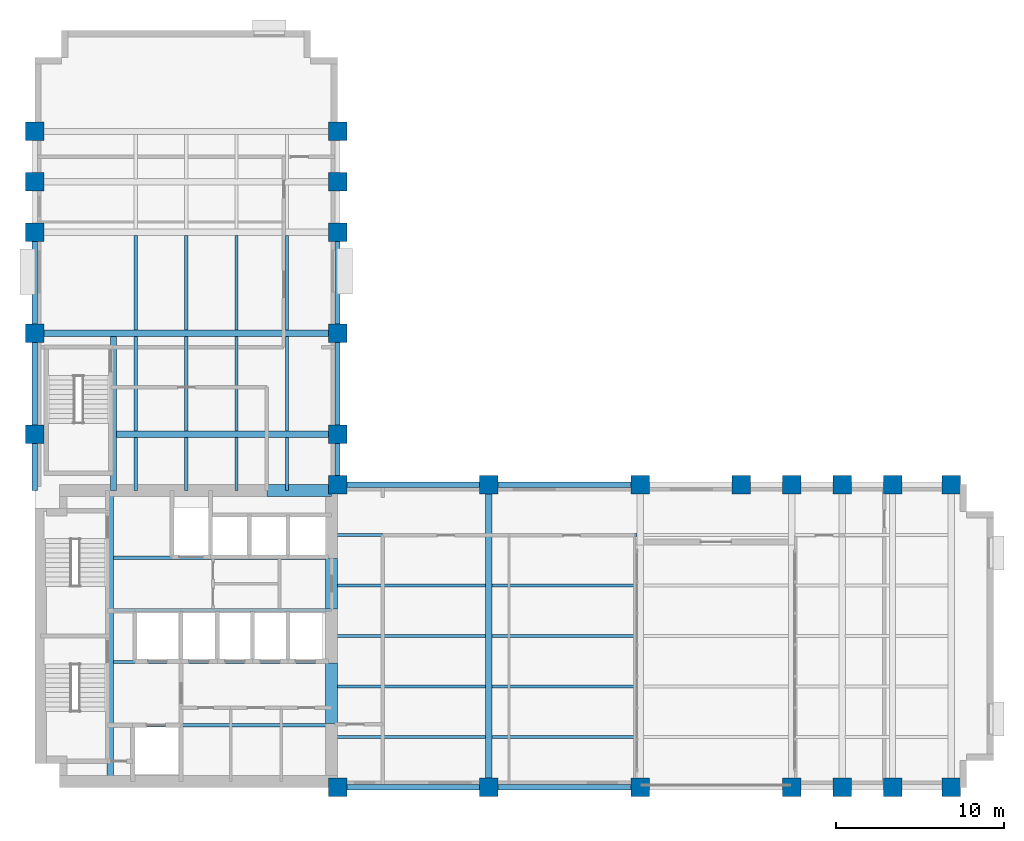
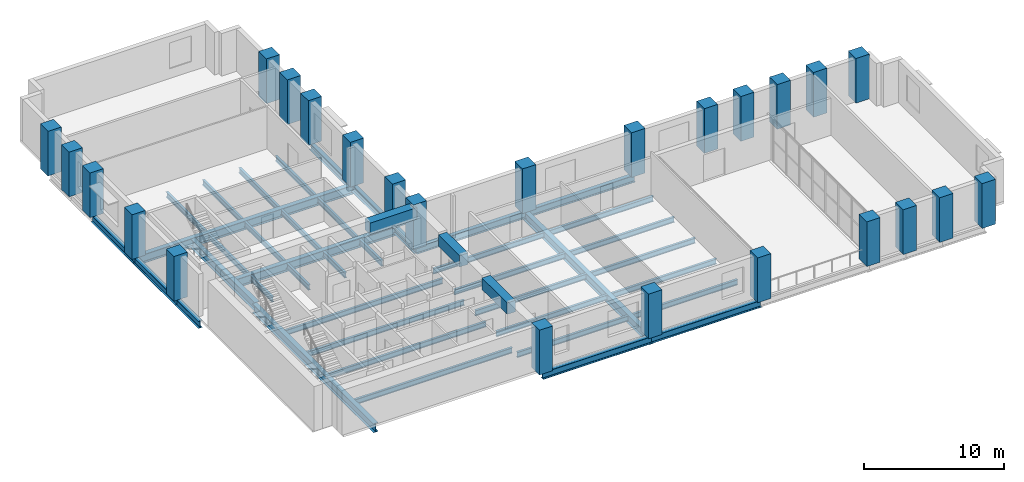
# One storey, part 1 of 12: 44 beams, 25 columns.
"""IFC4 building model written with IfcOpenShell, lengths in metres."""

import ifcopenshell
import ifcopenshell.guid

model = None  # the IFC model being written
_history = None  # IfcOwnerHistory: only IFC2X3 demands one
_inside = {}  # id of a spatial element -> (the spatial element, [elements in it])
_under = {}  # id of a project, library or spatial element -> (it, [spatial elements below it])
_declared = {}  # id of a project -> (the project, [libraries it declares])
_typed = {}  # id of a type object -> (the type object, [elements of that type])
_made_of = {}  # id of a material, layer set ... -> (it, [elements and type objects made of it])


def new_model(schema):
    """Start an empty IFC model of exactly this schema.

    Asked for "IFC4X3", IfcOpenShell would pick the latest addendum, in which some entities
    have other attributes; the version numbers below select the first issue.
    IFC2X3 requires an IfcOwnerHistory on every rooted entity: one is made here for all.
    """
    global model, _history
    if schema == "IFC4X3":
        model = ifcopenshell.file(schema_version=(4, 3, 0, 0))
    else:
        model = ifcopenshell.file(schema=schema)
    _inside.clear()
    _under.clear()
    _declared.clear()
    _typed.clear()
    _made_of.clear()
    _history = None
    if model.schema == "IFC2X3":
        org = make("IfcOrganization", Name="unknown")
        user = make(
            "IfcPersonAndOrganization",
            ThePerson=make("IfcPerson", FamilyName="unknown"),
            TheOrganization=org,
        )
        app = make(
            "IfcApplication",
            ApplicationDeveloper=org,
            Version="unknown",
            ApplicationFullName="unknown",
            ApplicationIdentifier="unknown",
        )
        _history = make(
            "IfcOwnerHistory",
            OwningUser=user,
            OwningApplication=app,
            ChangeAction="ADDED",
            CreationDate=0,
        )
    return model


def make(cls, **values):
    """One entity of the class cls with the attributes given. An attribute that is None is left unset."""
    return model.create_entity(
        cls, **{name: value for name, value in values.items() if value is not None}
    )


def rooted(cls, **values):
    """An entity with a GlobalId (a new one), such as an element, a storey or a relation."""
    return make(cls, GlobalId=ifcopenshell.guid.new(), OwnerHistory=_history, **values)


def si_unit(unit_type, name, prefix=None):
    """IfcSIUnit, for example si_unit("LENGTHUNIT", "METRE", prefix="MILLI")."""
    return make("IfcSIUnit", UnitType=unit_type, Prefix=prefix, Name=name)


def assignment(units):
    """IfcUnitAssignment: the units of a project."""
    return None if units is None else make("IfcUnitAssignment", Units=units)


def point(xyz):
    """IfcCartesianPoint."""
    return None if xyz is None else make("IfcCartesianPoint", Coordinates=xyz)


def direction(xyz):
    """IfcDirection."""
    return None if xyz is None else make("IfcDirection", DirectionRatios=xyz)


def frame(location, z_axis=None, x_axis=None):
    """IfcAxis2Placement3D, a coordinate frame: its origin and axes. An axis left out is left unset."""
    return make(
        "IfcAxis2Placement3D",
        Location=point(location),
        Axis=direction(z_axis),
        RefDirection=direction(x_axis),
    )


def frame_2d(location, x_axis=None):
    """IfcAxis2Placement2D, a coordinate frame in the plane: its origin and x axis."""
    return make(
        "IfcAxis2Placement2D", Location=point(location), RefDirection=direction(x_axis)
    )


def origin():
    """The frame at (0, 0, 0) with its axes left unset."""
    return frame((0.0, 0.0, 0.0))


def origin_2d():
    """The frame at (0, 0) in the plane with its x axis left unset."""
    return frame_2d((0.0, 0.0))


def place(relative_to, where):
    """IfcLocalPlacement: puts the frame where relative to a parent placement (None: the world)."""
    return make(
        "IfcLocalPlacement", PlacementRelTo=relative_to, RelativePlacement=where
    )


def context(
    kind, dimensions, precision=None, world=None, true_north=None, identifier=None
):
    """IfcGeometricRepresentationContext, for example the 3D "Model" context."""
    return make(
        "IfcGeometricRepresentationContext",
        ContextIdentifier=identifier,
        ContextType=kind,
        CoordinateSpaceDimension=dimensions,
        Precision=precision,
        WorldCoordinateSystem=world,
        TrueNorth=true_north,
    )


def subcontext(parent, identifier, kind, view, scale=None):
    """IfcGeometricRepresentationSubContext, for example "Body" below "Model"."""
    return make(
        "IfcGeometricRepresentationSubContext",
        ContextIdentifier=identifier,
        ContextType=kind,
        ParentContext=parent,
        TargetScale=scale,
        TargetView=view,
    )


def project(units=None, contexts=None):
    """IfcProject with its units and contexts."""
    return rooted(
        "IfcProject",
        Name="project",
        RepresentationContexts=contexts,
        UnitsInContext=assignment(units),
    )


def spatial(cls, under=None, at=None, **own):
    """A site, building, storey or space (cls), placed at a placement, below another one or the project."""
    s = rooted(cls, ObjectPlacement=at, **own)
    if under is not None:
        _under.setdefault(under.id(), (under, []))[1].append(s)
    return s


def profile(cls, at=None, kind="AREA", **sizes):
    """A parametric profile (cls). Its sizes go by their IFC names, for example OverallWidth=200.0."""
    return make(cls, ProfileType=kind, Position=at, **sizes)


def rectangle(**sizes):
    """IfcRectangleProfileDef."""
    return profile("IfcRectangleProfileDef", **sizes)


def i_section(**sizes):
    """IfcIShapeProfileDef."""
    return profile("IfcIShapeProfileDef", **sizes)


def extrude(swept, where, along, depth):
    """IfcExtrudedAreaSolid: the profile swept, set in the frame where, extruded along a direction by depth."""
    return make(
        "IfcExtrudedAreaSolid",
        SweptArea=swept,
        Position=where,
        ExtrudedDirection=direction(along),
        Depth=depth,
    )


def shape(context_of_items, identifier, shape_type, items):
    """IfcShapeRepresentation: the items that make up one representation, for example the "Body"."""
    return make(
        "IfcShapeRepresentation",
        ContextOfItems=context_of_items,
        RepresentationIdentifier=identifier,
        RepresentationType=shape_type,
        Items=items,
    )


def material(Name=None, Category=None):
    """IfcMaterial."""
    return make("IfcMaterial", Name=Name, Category=Category)


def material_profile(
    of_material, cross_section, Name=None, Category=None, Priority=None
):
    """IfcMaterialProfile: a cross section and its material."""
    return make(
        "IfcMaterialProfile",
        Name=Name,
        Material=of_material,
        Profile=cross_section,
        Priority=Priority,
        Category=Category,
    )


def profile_set(profiles, Name=None, composite=None):
    """IfcMaterialProfileSet."""
    return make(
        "IfcMaterialProfileSet",
        Name=Name,
        MaterialProfiles=profiles,
        CompositeProfile=composite,
    )


def made_of(thing, what):
    """Note that an element or type object is made of a material, layer set ...; save() writes the relation."""
    if what is not None:
        _made_of.setdefault(what.id(), (what, []))[1].append(thing)
    return thing


def type_object(cls, material=None, **own):
    """A type object (cls), such as IfcWallType, which elements share."""
    return made_of(rooted(cls, **own), material)


def element(
    cls,
    number,
    at=None,
    inside=None,
    cuts=None,
    type_object=None,
    material=None,
    context=None,
    identifier="Body",
    shape_type=None,
    held_by="IfcProductDefinitionShape",
    body=None,
    shapes=None,
    **own,
):
    """One element of the class cls, such as IfcWall. Its Tag is "e" and its number.

    at: its placement. inside: the storey or other place that contains it. cuts: it is an
    opening in that element (IfcRelVoidsElement). A single representation is given by context,
    identifier, shape_type and body (its items); several are given by shapes. held_by: the class
    of the entity that holds the representations. save() writes the other relations.
    """
    e = rooted(cls, Tag="e%d" % number, ObjectPlacement=at, **own)
    if body is not None:
        shapes = [shape(context, identifier, shape_type, body)]
    if shapes is not None:
        e.Representation = make(held_by, Representations=shapes)
    if inside is not None:
        _inside.setdefault(inside.id(), (inside, []))[1].append(e)
    if cuts is not None:
        rooted(
            "IfcRelVoidsElement", RelatingBuildingElement=cuts, RelatedOpeningElement=e
        )
    if type_object is not None:
        _typed.setdefault(type_object.id(), (type_object, []))[1].append(e)
    return made_of(e, material)


def aggregate(whole, parts):
    """IfcRelAggregates: a whole, such as a stair, and the parts it consists of."""
    return rooted("IfcRelAggregates", RelatingObject=whole, RelatedObjects=parts)


def save(model, path):
    """Write the relations noted so far, then the file.

    IfcRelAggregates (storeys below a building ...), IfcRelContainedInSpatialStructure (elements
    in a storey), IfcRelDefinesByType, IfcRelAssociatesMaterial and IfcRelDeclares: one each for
    every whole, place, type object, material and project.
    """
    for whole, parts in _under.values():
        aggregate(whole, parts)
    for where, things in _inside.values():
        rooted(
            "IfcRelContainedInSpatialStructure",
            RelatedElements=things,
            RelatingStructure=where,
        )
    for kind, things in _typed.values():
        rooted("IfcRelDefinesByType", RelatedObjects=things, RelatingType=kind)
    for what, things in _made_of.values():
        rooted("IfcRelAssociatesMaterial", RelatedObjects=things, RelatingMaterial=what)
    for by, libraries in _declared.values():
        rooted("IfcRelDeclares", RelatingContext=by, RelatedDefinitions=libraries)
    model.write(path)


model = new_model("IFC4")

# Units and contexts
model_context = context("Model", 3, precision=1e-05, world=origin(), true_north=direction((0.0, 1.0)))
body_context = subcontext(model_context, "Body", "Model", "MODEL_VIEW")
ifc_project = project(units=[si_unit("LENGTHUNIT", "METRE"), si_unit("AREAUNIT", "SQUARE_METRE"), si_unit("VOLUMEUNIT", "CUBIC_METRE"), si_unit("PLANEANGLEUNIT", "RADIAN"), si_unit("MASSUNIT", "GRAM", prefix="KILO")], contexts=[model_context])

# Site, building, storey
site_placement = place(None, origin())
site = spatial("IfcSite", under=ifc_project, at=site_placement, CompositionType="ELEMENT")
building_placement = place(site_placement, origin())
building = spatial("IfcBuilding", under=site, at=building_placement, Name="Mawjdan Bourse Tower", CompositionType="ELEMENT")
storey_placement = place(building_placement, frame((0.0, 0.0, 120.60009765625)))
storey = spatial("IfcBuildingStorey", under=building, at=storey_placement, Name="L28", CompositionType="ELEMENT", Elevation=120.60009765625)

# Columns
ifc_material_1 = material(Name="Concrete C70/85", Category="concrete")
ifc_material_profile_1 = material_profile(ifc_material_1, rectangle(XDim=1.10009765625, YDim=1.10009765625, at=origin_2d()), Name="RC1100X1100")
ifc_profile_set_1 = profile_set([ifc_material_profile_1], Name="Concrete C70/85")
column_type = type_object("IfcColumnType", Name="COL-RC1100X1100", PredefinedType="COLUMN", material=ifc_profile_set_1)
for number, where, z_axis, x_axis, name in (
    (1, (24.0, 3.0, 0.0), (0.0, 0.0, 1.0), (1.0, 0.0, 0.0), "L28 Structural Column C-X240-Y30"),
    (2, (24.0, 21.0, 0.0), (0.0, 0.0, 1.0), (1.0, 0.0, 0.0), "L28 Structural Column C-X240-Y210"),
    (3, (33.0, 3.0, 0.0), (0.0, 0.0, 1.0), (1.0, 0.0, 0.0), "L28 Structural Column C-X330-Y30"),
    (4, (33.0, 21.0, 0.0), (0.0, 0.0, 1.0), (1.0, 0.0, 0.0), "L28 Structural Column C-X330-Y210"),
    (5, (42.0, 3.0, 0.0), (0.0, 0.0, 1.0), (1.0, 0.0, 0.0), "L28 Structural Column C-X420-Y30"),
    (6, (42.0, 21.0, 0.0), (0.0, 0.0, 1.0), (1.0, 0.0, 0.0), "L28 Structural Column C-X420-Y210"),
    (7, (48.0, 21.0, 0.0), (0.0, 0.0, 1.0), (1.0, 0.0, 0.0), "L28 Structural Column C-X480-Y210"),
    (8, (51.0, 3.0, 0.0), (0.0, 0.0, 1.0), (1.0, 0.0, 0.0), "L28 Structural Column C-X510-Y30"),
    (9, (51.0, 21.0, 0.0), (0.0, 0.0, 1.0), (1.0, 0.0, 0.0), "L28 Structural Column C-X510-Y210"),
    (10, (54.0, 3.0, 0.0), (0.0, 0.0, 1.0), (1.0, 0.0, 0.0), "L28 Structural Column C-X540-Y30"),
    (11, (54.0, 21.0, 0.0), (0.0, 0.0, 1.0), (1.0, 0.0, 0.0), "L28 Structural Column C-X540-Y210"),
    (12, (57.0, 3.0, 0.0), (0.0, 0.0, 1.0), (1.0, 0.0, 0.0), "L28 Structural Column C-X570-Y30"),
    (13, (57.0, 21.0, 0.0), (0.0, 0.0, 1.0), (1.0, 0.0, 0.0), "L28 Structural Column C-X570-Y210"),
    (14, (60.5, 3.0, 0.0), (0.0, 0.0, 1.0), (1.0, 0.0, 0.0), "L28 Structural Column C-X605-Y30"),
    (15, (60.5, 21.0, 0.0), (0.0, 0.0, 1.0), (1.0, 0.0, 0.0), "L28 Structural Column C-X605-Y210"),
    (16, (6.0, 24.0, 0.0), (0.0, 0.0, 1.0), (1.0, 0.0, 0.0), "L28 Structural Column C-X60-Y240"),
    (17, (24.0, 24.0, 0.0), (0.0, 0.0, 1.0), (1.0, 0.0, 0.0), "L28 Structural Column C-X240-Y240"),
    (18, (6.0, 30.0, 0.0), (0.0, 0.0, 1.0), (1.0, 0.0, 0.0), "L28 Structural Column C-X60-Y300"),
    (19, (24.0, 30.0, 0.0), (0.0, 0.0, 1.0), (1.0, 0.0, 0.0), "L28 Structural Column C-X240-Y300"),
    (20, (6.0, 36.0, 0.0), (0.0, 0.0, 1.0), (1.0, 0.0, 0.0), "L28 Structural Column C-X60-Y360"),
    (21, (24.0, 36.0, 0.0), (0.0, 0.0, 1.0), (1.0, 0.0, 0.0), "L28 Structural Column C-X240-Y360"),
    (22, (6.0, 39.0, 0.0), (0.0, 0.0, 1.0), (1.0, 0.0, 0.0), "L28 Structural Column C-X60-Y390"),
    (23, (24.0, 39.0, 0.0), (0.0, 0.0, 1.0), (1.0, 0.0, 0.0), "L28 Structural Column C-X240-Y390"),
    (24, (6.0, 42.0, 0.0), (0.0, 0.0, 1.0), (1.0, 0.0, 0.0), "L28 Structural Column C-X60-Y420"),
    (25, (24.0, 42.0, 0.0), (0.0, 0.0, 1.0), (1.0, 0.0, 0.0), "L28 Structural Column C-X240-Y420"),
):
    element("IfcColumn", number, at=place(storey_placement, frame(where, z_axis=z_axis, x_axis=x_axis)), inside=storey, type_object=column_type, Name=name, PredefinedType="COLUMN", context=body_context, shape_type="SweptSolid", body=[
        extrude(rectangle(XDim=1.10009765625, YDim=1.10009765625, at=origin_2d()), origin(), (0.0, 0.0, 1.0), 3.89990234375),
    ])

# Beams
ifc_material_2 = material(Name="Structural Steel S355", Category="steel")
ifc_material_profile_2 = material_profile(ifc_material_2, i_section(OverallWidth=0.381103515625, OverallDepth=0.77294921875, WebThickness=0.0166015625, FlangeThickness=0.027099609375, FilletRadius=0.021728515625, at=origin_2d()), Name="W30X173")
ifc_profile_set_2 = profile_set([ifc_material_profile_2], Name="Structural Steel S355")
beam_type_1 = type_object("IfcBeamType", Name="GRD-W30X173", PredefinedType="BEAM", material=ifc_profile_set_2)
beam_1_placement = place(storey_placement, frame((10.47998046875, 3.35009765625, -0.586669921875), z_axis=(0.0, 1.0, 0.0), x_axis=(-1.0, 0.0, 0.0)))
element("IfcBeam", 26, at=beam_1_placement, inside=storey, type_object=beam_type_1, Name="L28 Core Stair Trimmer Girder 001", PredefinedType="BEAM", context=body_context, shape_type="SweptSolid", body=[
    extrude(i_section(OverallWidth=0.381103515625, OverallDepth=0.77294921875, WebThickness=0.0166015625, FlangeThickness=0.027099609375, FilletRadius=0.021728515625, at=origin_2d()), origin(), (0.0, 0.0, 1.0), 17.2998046875),
])
beam_2_placement = place(storey_placement, frame((33.0, 3.0, -0.586669921875), z_axis=(0.0, 1.0, 0.0), x_axis=(-1.0, 0.0, 0.0)))
element("IfcBeam", 27, at=beam_2_placement, inside=storey, type_object=beam_type_1, Name="L28 East Wing Clear-Span Girder 002", PredefinedType="BEAM", context=body_context, shape_type="SweptSolid", body=[
    extrude(i_section(OverallWidth=0.381103515625, OverallDepth=0.77294921875, WebThickness=0.0166015625, FlangeThickness=0.027099609375, FilletRadius=0.021728515625, at=origin_2d()), origin(), (0.0, 0.0, 1.0), 18.0),
])
beam_3_placement = place(storey_placement, frame((10.679931640625, 20.64990234375, -0.586669921875), z_axis=(0.0, 1.0, 0.0), x_axis=(-1.0, 0.0, 0.0)))
element("IfcBeam", 28, at=beam_3_placement, inside=storey, type_object=beam_type_1, Name="L28 North Wing Stair Trimmer Girder 057", PredefinedType="BEAM", context=body_context, shape_type="SweptSolid", body=[
    extrude(i_section(OverallWidth=0.381103515625, OverallDepth=0.77294921875, WebThickness=0.0166015625, FlangeThickness=0.027099609375, FilletRadius=0.021728515625, at=origin_2d()), origin(), (0.0, 0.0, 1.0), 9.16162109375),
])
beam_4_placement = place(storey_placement, frame((10.868408203125, 24.0, -0.586669921875), z_axis=(1.0, 0.0, 0.0), x_axis=(0.0, 1.0, 0.0)))
element("IfcBeam", 29, at=beam_4_placement, inside=storey, type_object=beam_type_1, Name="L28 North Wing Clear-Span Girder 058", PredefinedType="BEAM", context=body_context, shape_type="SweptSolid", body=[
    extrude(i_section(OverallWidth=0.381103515625, OverallDepth=0.77294921875, WebThickness=0.0166015625, FlangeThickness=0.027099609375, FilletRadius=0.021728515625, at=origin_2d()), origin(), (0.0, 0.0, 1.0), 13.131591796875),
])
beam_5_placement = place(storey_placement, frame((6.0, 30.0, -0.586669921875), z_axis=(1.0, 0.0, 0.0), x_axis=(0.0, 1.0, 0.0)))
element("IfcBeam", 30, at=beam_5_placement, inside=storey, type_object=beam_type_1, Name="L28 North Wing Clear-Span Girder 059", PredefinedType="BEAM", context=body_context, shape_type="SweptSolid", body=[
    extrude(i_section(OverallWidth=0.381103515625, OverallDepth=0.77294921875, WebThickness=0.0166015625, FlangeThickness=0.027099609375, FilletRadius=0.021728515625, at=origin_2d()), origin(), (0.0, 0.0, 1.0), 18.0),
])
ifc_material_profile_3 = material_profile(ifc_material_2, i_section(OverallWidth=0.19189453125, OverallDepth=0.462890625, WebThickness=0.010498046875, FlangeThickness=0.017578125, FilletRadius=0.01416015625, at=origin_2d()), Name="W18X60")
ifc_profile_set_3 = profile_set([ifc_material_profile_3], Name="Structural Steel S355")
beam_type_2 = type_object("IfcBeamType", Name="JST-W18X60", PredefinedType="JOIST", material=ifc_profile_set_3)
beam_6_placement = place(storey_placement, frame((23.64990234375, 6.0, -0.431640625), z_axis=(1.0, 0.0, 0.0), x_axis=(0.0, 1.0, 0.0)))
element("IfcBeam", 31, at=beam_6_placement, inside=storey, type_object=beam_type_2, Name="L28 East Wing Composite Joist 023", PredefinedType="JOIST", context=body_context, shape_type="SweptSolid", body=[
    extrude(i_section(OverallWidth=0.19189453125, OverallDepth=0.462890625, WebThickness=0.010498046875, FlangeThickness=0.017578125, FilletRadius=0.01416015625, at=origin_2d()), origin(), (0.0, 0.0, 1.0), 9.16162109375),
])
beam_7_placement = place(storey_placement, frame((33.1884765625, 6.0, -0.431640625), z_axis=(1.0, 0.0, 0.0), x_axis=(0.0, 1.0, 0.0)))
element("IfcBeam", 32, at=beam_7_placement, inside=storey, type_object=beam_type_2, Name="L28 East Wing Composite Joist 024", PredefinedType="JOIST", context=body_context, shape_type="SweptSolid", body=[
    extrude(i_section(OverallWidth=0.19189453125, OverallDepth=0.462890625, WebThickness=0.010498046875, FlangeThickness=0.017578125, FilletRadius=0.01416015625, at=origin_2d()), origin(), (0.0, 0.0, 1.0), 8.623046875),
])
beam_8_placement = place(storey_placement, frame((23.64990234375, 9.0, -0.431640625), z_axis=(1.0, 0.0, 0.0), x_axis=(0.0, 1.0, 0.0)))
element("IfcBeam", 33, at=beam_8_placement, inside=storey, type_object=beam_type_2, Name="L28 East Wing Composite Joist 029", PredefinedType="JOIST", context=body_context, shape_type="SweptSolid", body=[
    extrude(i_section(OverallWidth=0.19189453125, OverallDepth=0.462890625, WebThickness=0.010498046875, FlangeThickness=0.017578125, FilletRadius=0.01416015625, at=origin_2d()), origin(), (0.0, 0.0, 1.0), 9.16162109375),
])
beam_9_placement = place(storey_placement, frame((33.1884765625, 9.0, -0.431640625), z_axis=(1.0, 0.0, 0.0), x_axis=(0.0, 1.0, 0.0)))
element("IfcBeam", 34, at=beam_9_placement, inside=storey, type_object=beam_type_2, Name="L28 East Wing Composite Joist 030", PredefinedType="JOIST", context=body_context, shape_type="SweptSolid", body=[
    extrude(i_section(OverallWidth=0.19189453125, OverallDepth=0.462890625, WebThickness=0.010498046875, FlangeThickness=0.017578125, FilletRadius=0.01416015625, at=origin_2d()), origin(), (0.0, 0.0, 1.0), 8.623046875),
])
beam_10_placement = place(storey_placement, frame((23.64990234375, 12.0, -0.431640625), z_axis=(1.0, 0.0, 0.0), x_axis=(0.0, 1.0, 0.0)))
element("IfcBeam", 35, at=beam_10_placement, inside=storey, type_object=beam_type_2, Name="L28 East Wing Composite Joist 035", PredefinedType="JOIST", context=body_context, shape_type="SweptSolid", body=[
    extrude(i_section(OverallWidth=0.19189453125, OverallDepth=0.462890625, WebThickness=0.010498046875, FlangeThickness=0.017578125, FilletRadius=0.01416015625, at=origin_2d()), origin(), (0.0, 0.0, 1.0), 9.16162109375),
])
beam_11_placement = place(storey_placement, frame((33.1884765625, 12.0, -0.431640625), z_axis=(1.0, 0.0, 0.0), x_axis=(0.0, 1.0, 0.0)))
element("IfcBeam", 36, at=beam_11_placement, inside=storey, type_object=beam_type_2, Name="L28 East Wing Composite Joist 036", PredefinedType="JOIST", context=body_context, shape_type="SweptSolid", body=[
    extrude(i_section(OverallWidth=0.19189453125, OverallDepth=0.462890625, WebThickness=0.010498046875, FlangeThickness=0.017578125, FilletRadius=0.01416015625, at=origin_2d()), origin(), (0.0, 0.0, 1.0), 8.623046875),
])
beam_12_placement = place(storey_placement, frame((23.64990234375, 15.0, -0.431640625), z_axis=(1.0, 0.0, 0.0), x_axis=(0.0, 1.0, 0.0)))
element("IfcBeam", 37, at=beam_12_placement, inside=storey, type_object=beam_type_2, Name="L28 East Wing Composite Joist 041", PredefinedType="JOIST", context=body_context, shape_type="SweptSolid", body=[
    extrude(i_section(OverallWidth=0.19189453125, OverallDepth=0.462890625, WebThickness=0.010498046875, FlangeThickness=0.017578125, FilletRadius=0.01416015625, at=origin_2d()), origin(), (0.0, 0.0, 1.0), 9.16162109375),
])
beam_13_placement = place(storey_placement, frame((33.1884765625, 15.0, -0.431640625), z_axis=(1.0, 0.0, 0.0), x_axis=(0.0, 1.0, 0.0)))
element("IfcBeam", 38, at=beam_13_placement, inside=storey, type_object=beam_type_2, Name="L28 East Wing Composite Joist 042", PredefinedType="JOIST", context=body_context, shape_type="SweptSolid", body=[
    extrude(i_section(OverallWidth=0.19189453125, OverallDepth=0.462890625, WebThickness=0.010498046875, FlangeThickness=0.017578125, FilletRadius=0.01416015625, at=origin_2d()), origin(), (0.0, 0.0, 1.0), 8.623046875),
])
beam_14_placement = place(storey_placement, frame((23.64990234375, 18.0, -0.431640625), z_axis=(1.0, 0.0, 0.0), x_axis=(0.0, 1.0, 0.0)))
element("IfcBeam", 39, at=beam_14_placement, inside=storey, type_object=beam_type_2, Name="L28 East Wing Composite Joist 047", PredefinedType="JOIST", context=body_context, shape_type="SweptSolid", body=[
    extrude(i_section(OverallWidth=0.19189453125, OverallDepth=0.462890625, WebThickness=0.010498046875, FlangeThickness=0.017578125, FilletRadius=0.01416015625, at=origin_2d()), origin(), (0.0, 0.0, 1.0), 9.16162109375),
])
beam_15_placement = place(storey_placement, frame((33.1884765625, 18.0, -0.431640625), z_axis=(1.0, 0.0, 0.0), x_axis=(0.0, 1.0, 0.0)))
element("IfcBeam", 40, at=beam_15_placement, inside=storey, type_object=beam_type_2, Name="L28 East Wing Composite Joist 048", PredefinedType="JOIST", context=body_context, shape_type="SweptSolid", body=[
    extrude(i_section(OverallWidth=0.19189453125, OverallDepth=0.462890625, WebThickness=0.010498046875, FlangeThickness=0.017578125, FilletRadius=0.01416015625, at=origin_2d()), origin(), (0.0, 0.0, 1.0), 8.623046875),
])
for number, where, z_axis, x_axis, name in (
    (41, (10.66845703125, 6.699951171875, -0.431640625), (1.0, 0.0, 0.0), (0.0, 1.0, 0.0), "L28 Core Floor Joist 053"),
    (42, (10.66845703125, 10.449951171875, -0.431640625), (1.0, 0.0, 0.0), (0.0, 1.0, 0.0), "L28 Core Floor Joist 054"),
    (43, (10.66845703125, 13.550048828125, -0.431640625), (1.0, 0.0, 0.0), (0.0, 1.0, 0.0), "L28 Core Floor Joist 055"),
    (44, (10.66845703125, 16.64990234375, -0.431640625), (1.0, 0.0, 0.0), (0.0, 1.0, 0.0), "L28 Core Floor Joist 056"),
):
    element("IfcBeam", number, at=place(storey_placement, frame(where, z_axis=z_axis, x_axis=x_axis)), inside=storey, type_object=beam_type_2, Name=name, PredefinedType="JOIST", context=body_context, shape_type="SweptSolid", body=[
        extrude(i_section(OverallWidth=0.19189453125, OverallDepth=0.462890625, WebThickness=0.010498046875, FlangeThickness=0.017578125, FilletRadius=0.01416015625, at=origin_2d()), origin(), (0.0, 0.0, 1.0), 12.9814453125),
    ])
beam_16_placement = place(storey_placement, frame((12.0, 20.64990234375, -0.431640625), z_axis=(0.0, 1.0, 0.0), x_axis=(-1.0, 0.0, 0.0)))
element("IfcBeam", 45, at=beam_16_placement, inside=storey, type_object=beam_type_2, Name="L28 North Wing Composite Joist 073", PredefinedType="JOIST", context=body_context, shape_type="SweptSolid", body=[
    extrude(i_section(OverallWidth=0.19189453125, OverallDepth=0.462890625, WebThickness=0.010498046875, FlangeThickness=0.017578125, FilletRadius=0.01416015625, at=origin_2d()), origin(), (0.0, 0.0, 1.0), 3.16162109375),
])
for number, where, z_axis, x_axis, name in (
    (46, (12.0, 24.1884765625, -0.431640625), (0.0, 1.0, 0.0), (-1.0, 0.0, 0.0), "L28 North Wing Composite Joist 074"),
    (47, (12.0, 30.1884765625, -0.431640625), (0.0, 1.0, 0.0), (-1.0, 0.0, 0.0), "L28 North Wing Composite Joist 075"),
):
    element("IfcBeam", number, at=place(storey_placement, frame(where, z_axis=z_axis, x_axis=x_axis)), inside=storey, type_object=beam_type_2, Name=name, PredefinedType="JOIST", context=body_context, shape_type="SweptSolid", body=[
        extrude(i_section(OverallWidth=0.19189453125, OverallDepth=0.462890625, WebThickness=0.010498046875, FlangeThickness=0.017578125, FilletRadius=0.01416015625, at=origin_2d()), origin(), (0.0, 0.0, 1.0), 5.623046875),
    ])
beam_17_placement = place(storey_placement, frame((15.0, 20.64990234375, -0.431640625), z_axis=(0.0, 1.0, 0.0), x_axis=(-1.0, 0.0, 0.0)))
element("IfcBeam", 48, at=beam_17_placement, inside=storey, type_object=beam_type_2, Name="L28 North Wing Composite Joist 078", PredefinedType="JOIST", context=body_context, shape_type="SweptSolid", body=[
    extrude(i_section(OverallWidth=0.19189453125, OverallDepth=0.462890625, WebThickness=0.010498046875, FlangeThickness=0.017578125, FilletRadius=0.01416015625, at=origin_2d()), origin(), (0.0, 0.0, 1.0), 3.16162109375),
])
for number, where, z_axis, x_axis, name in (
    (49, (15.0, 24.1884765625, -0.431640625), (0.0, 1.0, 0.0), (-1.0, 0.0, 0.0), "L28 North Wing Composite Joist 079"),
    (50, (15.0, 30.1884765625, -0.431640625), (0.0, 1.0, 0.0), (-1.0, 0.0, 0.0), "L28 North Wing Composite Joist 080"),
):
    element("IfcBeam", number, at=place(storey_placement, frame(where, z_axis=z_axis, x_axis=x_axis)), inside=storey, type_object=beam_type_2, Name=name, PredefinedType="JOIST", context=body_context, shape_type="SweptSolid", body=[
        extrude(i_section(OverallWidth=0.19189453125, OverallDepth=0.462890625, WebThickness=0.010498046875, FlangeThickness=0.017578125, FilletRadius=0.01416015625, at=origin_2d()), origin(), (0.0, 0.0, 1.0), 5.623046875),
    ])
beam_18_placement = place(storey_placement, frame((18.0, 20.64990234375, -0.431640625), z_axis=(0.0, 1.0, 0.0), x_axis=(-1.0, 0.0, 0.0)))
element("IfcBeam", 51, at=beam_18_placement, inside=storey, type_object=beam_type_2, Name="L28 North Wing Composite Joist 083", PredefinedType="JOIST", context=body_context, shape_type="SweptSolid", body=[
    extrude(i_section(OverallWidth=0.19189453125, OverallDepth=0.462890625, WebThickness=0.010498046875, FlangeThickness=0.017578125, FilletRadius=0.01416015625, at=origin_2d()), origin(), (0.0, 0.0, 1.0), 3.16162109375),
])
for number, where, z_axis, x_axis, name in (
    (52, (18.0, 24.1884765625, -0.431640625), (0.0, 1.0, 0.0), (-1.0, 0.0, 0.0), "L28 North Wing Composite Joist 084"),
    (53, (18.0, 30.1884765625, -0.431640625), (0.0, 1.0, 0.0), (-1.0, 0.0, 0.0), "L28 North Wing Composite Joist 085"),
):
    element("IfcBeam", number, at=place(storey_placement, frame(where, z_axis=z_axis, x_axis=x_axis)), inside=storey, type_object=beam_type_2, Name=name, PredefinedType="JOIST", context=body_context, shape_type="SweptSolid", body=[
        extrude(i_section(OverallWidth=0.19189453125, OverallDepth=0.462890625, WebThickness=0.010498046875, FlangeThickness=0.017578125, FilletRadius=0.01416015625, at=origin_2d()), origin(), (0.0, 0.0, 1.0), 5.623046875),
    ])
beam_19_placement = place(storey_placement, frame((21.0, 20.64990234375, -0.431640625), z_axis=(0.0, 1.0, 0.0), x_axis=(-1.0, 0.0, 0.0)))
element("IfcBeam", 54, at=beam_19_placement, inside=storey, type_object=beam_type_2, Name="L28 North Wing Composite Joist 088", PredefinedType="JOIST", context=body_context, shape_type="SweptSolid", body=[
    extrude(i_section(OverallWidth=0.19189453125, OverallDepth=0.462890625, WebThickness=0.010498046875, FlangeThickness=0.017578125, FilletRadius=0.01416015625, at=origin_2d()), origin(), (0.0, 0.0, 1.0), 3.16162109375),
])
for number, where, z_axis, x_axis, name in (
    (55, (21.0, 24.1884765625, -0.431640625), (0.0, 1.0, 0.0), (-1.0, 0.0, 0.0), "L28 North Wing Composite Joist 089"),
    (56, (21.0, 30.1884765625, -0.431640625), (0.0, 1.0, 0.0), (-1.0, 0.0, 0.0), "L28 North Wing Composite Joist 090"),
):
    element("IfcBeam", number, at=place(storey_placement, frame(where, z_axis=z_axis, x_axis=x_axis)), inside=storey, type_object=beam_type_2, Name=name, PredefinedType="JOIST", context=body_context, shape_type="SweptSolid", body=[
        extrude(i_section(OverallWidth=0.19189453125, OverallDepth=0.462890625, WebThickness=0.010498046875, FlangeThickness=0.017578125, FilletRadius=0.01416015625, at=origin_2d()), origin(), (0.0, 0.0, 1.0), 5.623046875),
    ])
ifc_material_profile_4 = material_profile(ifc_material_1, rectangle(XDim=0.699951171875, YDim=1.0, at=origin_2d()), Name="RCB700X1000")
ifc_profile_set_4 = profile_set([ifc_material_profile_4], Name="Concrete C70/85")
beam_type_3 = type_object("IfcBeamType", Name="LNT-RCB700X1000", PredefinedType="LINTEL", material=ifc_profile_set_4)
beam_20_placement = place(storey_placement, frame((23.64990234375, 6.800048828125, 3.199951171875), z_axis=(0.0, 1.0, 0.0), x_axis=(-1.0, 0.0, 0.0)))
element("IfcBeam", 57, at=beam_20_placement, inside=storey, type_object=beam_type_3, Name="L28 Coupled Core Lintel CB-E1", PredefinedType="LINTEL", context=body_context, shape_type="SweptSolid", body=[
    extrude(rectangle(XDim=0.699951171875, YDim=1.0, at=origin_2d()), origin(), (0.0, 0.0, 1.0), 3.599853515625),
])
beam_21_placement = place(storey_placement, frame((23.64990234375, 13.60009765625, 3.199951171875), z_axis=(0.0, 1.0, 0.0), x_axis=(-1.0, 0.0, 0.0)))
element("IfcBeam", 58, at=beam_21_placement, inside=storey, type_object=beam_type_3, Name="L28 Coupled Core Lintel CB-E2", PredefinedType="LINTEL", context=body_context, shape_type="SweptSolid", body=[
    extrude(rectangle(XDim=0.699951171875, YDim=1.0, at=origin_2d()), origin(), (0.0, 0.0, 1.0), 3.0),
])
beam_22_placement = place(storey_placement, frame((19.800048828125, 20.64990234375, 3.199951171875), z_axis=(1.0, 0.0, 0.0), x_axis=(0.0, 1.0, 0.0)))
element("IfcBeam", 59, at=beam_22_placement, inside=storey, type_object=beam_type_3, Name="L28 Coupled Core Lintel CB-N1", PredefinedType="LINTEL", context=body_context, shape_type="SweptSolid", body=[
    extrude(rectangle(XDim=0.699951171875, YDim=1.0, at=origin_2d()), origin(), (0.0, 0.0, 1.0), 3.849853515625),
])
ifc_material_profile_5 = material_profile(ifc_material_2, i_section(OverallWidth=0.324951171875, OverallDepth=0.616943359375, WebThickness=0.013916015625, FlangeThickness=0.021484375, FilletRadius=0.017333984375, at=origin_2d()), Name="W24X117")
ifc_profile_set_5 = profile_set([ifc_material_profile_5], Name="Structural Steel S355")
beam_type_4 = type_object("IfcBeamType", Name="SPN-W24X117", PredefinedType="SPANDREL", material=ifc_profile_set_5)
for number, where, z_axis, x_axis, name in (
    (60, (24.0, 3.0, -0.508544921875), (1.0, 0.0, 0.0), (0.0, 1.0, 0.0), "L28 Perimeter Masonry-Shelf Spandrel 010"),
    (61, (33.0, 3.0, -0.508544921875), (1.0, 0.0, 0.0), (0.0, 1.0, 0.0), "L28 Perimeter Masonry-Shelf Spandrel 011"),
    (62, (24.0, 21.0, -0.508544921875), (1.0, 0.0, 0.0), (0.0, 1.0, 0.0), "L28 Perimeter Masonry-Shelf Spandrel 016"),
    (63, (33.0, 21.0, -0.508544921875), (1.0, 0.0, 0.0), (0.0, 1.0, 0.0), "L28 Perimeter Masonry-Shelf Spandrel 017"),
):
    element("IfcBeam", number, at=place(storey_placement, frame(where, z_axis=z_axis, x_axis=x_axis)), inside=storey, type_object=beam_type_4, Name=name, PredefinedType="SPANDREL", context=body_context, shape_type="SweptSolid", body=[
        extrude(i_section(OverallWidth=0.324951171875, OverallDepth=0.616943359375, WebThickness=0.013916015625, FlangeThickness=0.021484375, FilletRadius=0.017333984375, at=origin_2d()), origin(), (0.0, 0.0, 1.0), 9.0),
    ])
beam_23_placement = place(storey_placement, frame((6.0, 20.64990234375, -0.508544921875), z_axis=(0.0, 1.0, 0.0), x_axis=(-1.0, 0.0, 0.0)))
element("IfcBeam", 64, at=beam_23_placement, inside=storey, type_object=beam_type_4, Name="L28 North Wing Spandrel 063", PredefinedType="SPANDREL", context=body_context, shape_type="SweptSolid", body=[
    extrude(i_section(OverallWidth=0.324951171875, OverallDepth=0.616943359375, WebThickness=0.013916015625, FlangeThickness=0.021484375, FilletRadius=0.017333984375, at=origin_2d()), origin(), (0.0, 0.0, 1.0), 3.35009765625),
])
for number, where, z_axis, x_axis, name in (
    (65, (6.0, 24.0, -0.508544921875), (0.0, 1.0, 0.0), (-1.0, 0.0, 0.0), "L28 North Wing Spandrel 064"),
    (66, (6.0, 30.0, -0.508544921875), (0.0, 1.0, 0.0), (-1.0, 0.0, 0.0), "L28 North Wing Spandrel 065"),
):
    element("IfcBeam", number, at=place(storey_placement, frame(where, z_axis=z_axis, x_axis=x_axis)), inside=storey, type_object=beam_type_4, Name=name, PredefinedType="SPANDREL", context=body_context, shape_type="SweptSolid", body=[
        extrude(i_section(OverallWidth=0.324951171875, OverallDepth=0.616943359375, WebThickness=0.013916015625, FlangeThickness=0.021484375, FilletRadius=0.017333984375, at=origin_2d()), origin(), (0.0, 0.0, 1.0), 6.0),
    ])
beam_24_placement = place(storey_placement, frame((24.0, 21.0, -0.508544921875), z_axis=(0.0, 1.0, 0.0), x_axis=(-1.0, 0.0, 0.0)))
element("IfcBeam", 67, at=beam_24_placement, inside=storey, type_object=beam_type_4, Name="L28 North Wing Spandrel 068", PredefinedType="SPANDREL", context=body_context, shape_type="SweptSolid", body=[
    extrude(i_section(OverallWidth=0.324951171875, OverallDepth=0.616943359375, WebThickness=0.013916015625, FlangeThickness=0.021484375, FilletRadius=0.017333984375, at=origin_2d()), origin(), (0.0, 0.0, 1.0), 3.0),
])
for number, where, z_axis, x_axis, name in (
    (68, (24.0, 24.0, -0.508544921875), (0.0, 1.0, 0.0), (-1.0, 0.0, 0.0), "L28 North Wing Spandrel 069"),
    (69, (24.0, 30.0, -0.508544921875), (0.0, 1.0, 0.0), (-1.0, 0.0, 0.0), "L28 North Wing Spandrel 070"),
):
    element("IfcBeam", number, at=place(storey_placement, frame(where, z_axis=z_axis, x_axis=x_axis)), inside=storey, type_object=beam_type_4, Name=name, PredefinedType="SPANDREL", context=body_context, shape_type="SweptSolid", body=[
        extrude(i_section(OverallWidth=0.324951171875, OverallDepth=0.616943359375, WebThickness=0.013916015625, FlangeThickness=0.021484375, FilletRadius=0.017333984375, at=origin_2d()), origin(), (0.0, 0.0, 1.0), 6.0),
    ])

save(model, "model.ifc")
